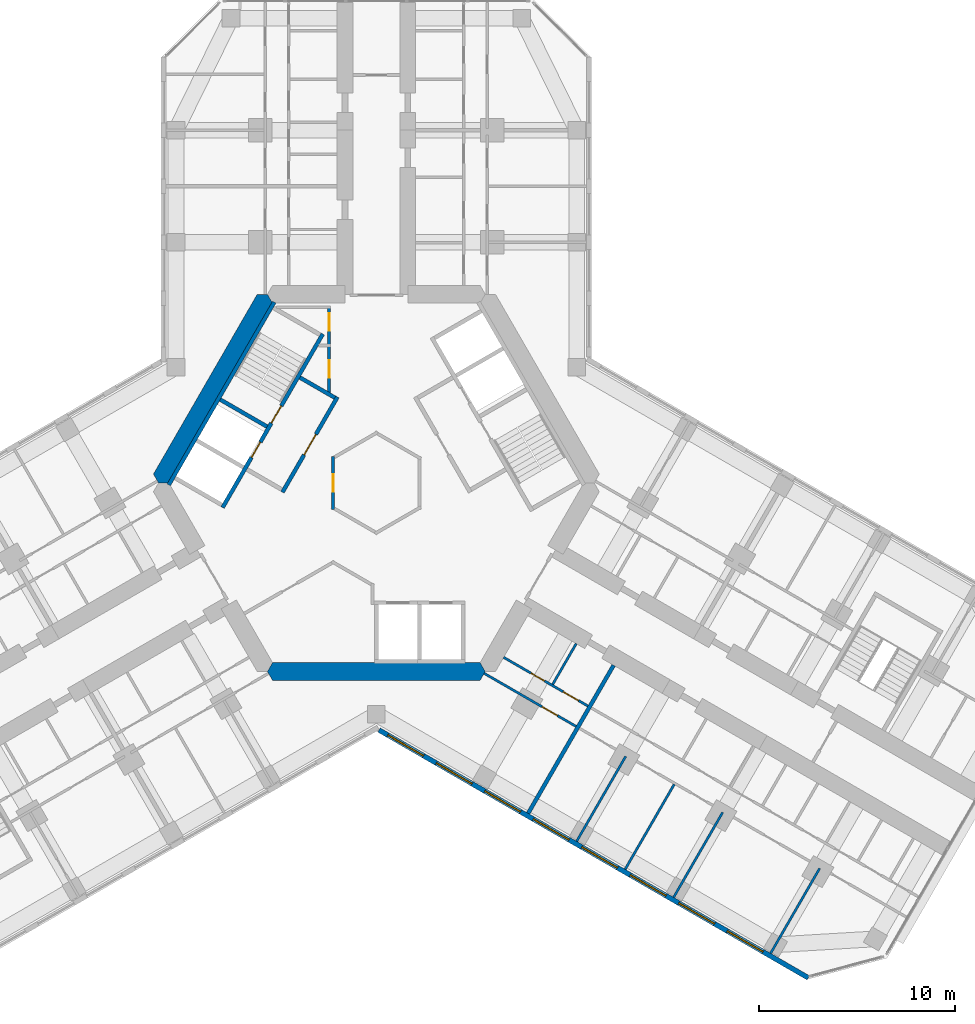
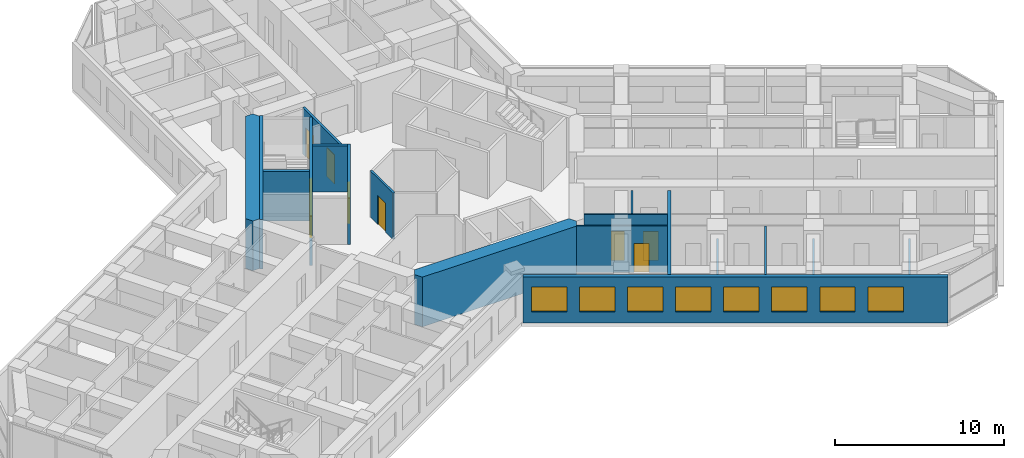
# One storey, part 13 of 19: 18 walls, 9 doors, 8 windows, 17 openings.
"""IFC4 building model written with IfcOpenShell, lengths in metres."""

from ifc_helpers import new_model, si_unit, direction, frame, frame_2d, origin, place, context, subcontext, project, spatial, polyline, rectangle, outline, extrude, material, layer, layer_set, type_object, element, fill, save


model = new_model("IFC4")

# Units and contexts
model_context = context("Model", 3, precision=1e-05, world=origin(), true_north=direction((0.0, 1.0)))
body_context = subcontext(model_context, "Body", "Model", "MODEL_VIEW")
ifc_project = project(units=[si_unit("LENGTHUNIT", "METRE"), si_unit("AREAUNIT", "SQUARE_METRE"), si_unit("VOLUMEUNIT", "CUBIC_METRE"), si_unit("PLANEANGLEUNIT", "RADIAN"), si_unit("MASSUNIT", "GRAM", prefix="KILO")], contexts=[model_context])

# Site, building, storey
site_placement = place(None, origin())
site = spatial("IfcSite", under=ifc_project, at=site_placement, CompositionType="ELEMENT")
building_placement = place(site_placement, origin())
building = spatial("IfcBuilding", under=site, at=building_placement, Name="Kosmar Iwan School Tower", CompositionType="ELEMENT")
storey_placement = place(building_placement, frame((0.0, 0.0, 161.60009765625)))
storey = spatial("IfcBuildingStorey", under=building, at=storey_placement, Name="L40", CompositionType="ELEMENT", Elevation=161.60009765625)

# Wall, openings, doors
ifc_material_1 = material(Name="Gypsum board on steel studs, fire-rated", Category="steel")
ifc_layer_1 = layer(ifc_material_1, 0.14990234375)
ifc_layer_set_1 = layer_set([ifc_layer_1], Name="Core room partition 150")
wall_type_1 = type_object("IfcWallType", Name="Core room partition 150", PredefinedType="PARTITIONING", material=ifc_layer_set_1)
wall_1_placement = place(storey_placement, frame((-2.39990234375, 9.014892578125, 0.0), z_axis=(0.0, 0.0, 1.0), x_axis=(0.0, -1.0, 0.0)))
wall_1 = element("IfcWall", 1, at=wall_1_placement, inside=storey, type_object=wall_type_1, Name="Core room partition L40-CW1", PredefinedType="PARTITIONING", context=body_context, shape_type="SweptSolid", body=[
    extrude(rectangle(XDim=4.484130859375, YDim=0.14990234375, at=frame_2d((2.2421875, 0.0))), origin(), (0.0, 0.0, 1.0), 3.349853515625),
])
opening_1_placement = place(wall_1_placement, frame((0.375, 0.0, 0.0)))
opening_1 = element("IfcOpeningElement", 2, at=opening_1_placement, cuts=wall_1, Name="Opening D14", PredefinedType="OPENING", context=body_context, shape_type="SweptSolid", body=[
    extrude(rectangle(XDim=0.89990234375, YDim=2.10009765625, at=frame_2d((0.449951171875, 1.050048828125))), frame((0.0, 0.0869140625, 0.0), z_axis=(0.0, -1.0, 0.0), x_axis=(1.0, 0.0, 0.0)), (0.0, 0.0, 1.0), 0.173828125),
])
opening_2_placement = place(wall_1_placement, frame((2.77490234375, 0.0, 0.0)))
opening_2 = element("IfcOpeningElement", 3, at=opening_2_placement, cuts=wall_1, Name="Opening D14", PredefinedType="OPENING", context=body_context, shape_type="SweptSolid", body=[
    extrude(rectangle(XDim=0.89990234375, YDim=2.10009765625, at=frame_2d((0.449951171875, 1.050048828125))), frame((0.0, 0.0869140625, 0.0), z_axis=(0.0, -1.0, 0.0), x_axis=(1.0, 0.0, 0.0)), (0.0, 0.0, 1.0), 0.173828125),
])
ifc_material_2 = material(Name="Timber fire door in steel frame", Category="steel")
door_type_1 = type_object("IfcDoorType", Name="Core room door 900x2100", OperationType="SINGLE_SWING_LEFT", PredefinedType="DOOR", material=ifc_material_2)
door_1_placement = place(opening_1_placement, origin())
door_1 = element("IfcDoor", 4, at=door_1_placement, inside=storey, type_object=door_type_1, Name="Electrical riser and switch room door L40 1", OperationType="SINGLE_SWING_LEFT", OverallHeight=2.10009765625, OverallWidth=0.89990234375, PredefinedType="DOOR", context=body_context, shape_type="SweptSolid", body=[
    extrude(rectangle(XDim=0.89990234375, YDim=2.10009765625, at=frame_2d((0.449951171875, 1.050048828125))), frame((0.0, 0.02490234375, 0.0), z_axis=(0.0, -1.0, 0.0), x_axis=(1.0, 0.0, 0.0)), (0.0, 0.0, 1.0), 0.050048828125),
])
fill(opening_1, door_1)
door_2_placement = place(opening_2_placement, origin())
door_2 = element("IfcDoor", 5, at=door_2_placement, inside=storey, type_object=door_type_1, Name="Plumbing and wet riser door L40 2", OperationType="SINGLE_SWING_RIGHT", OverallHeight=2.10009765625, OverallWidth=0.89990234375, PredefinedType="DOOR", context=body_context, shape_type="SweptSolid", body=[
    extrude(rectangle(XDim=0.89990234375, YDim=2.10009765625, at=frame_2d((0.449951171875, 1.050048828125))), frame((0.0, 0.02490234375, 0.0), z_axis=(0.0, -1.0, 0.0), x_axis=(1.0, 0.0, 0.0)), (0.0, 0.0, 1.0), 0.050048828125),
])
fill(opening_2, door_2)

# Wall, opening, door
wall_2_placement = place(storey_placement, frame((-2.199951171875, -1.34521484375, 0.0), z_axis=(0.0, 0.0, 1.0), x_axis=(0.0, 1.0, 0.0)))
wall_2 = element("IfcWall", 6, at=wall_2_placement, inside=storey, type_object=wall_type_1, Name="Core room partition L40-CW10", PredefinedType="PARTITIONING", context=body_context, shape_type="SweptSolid", body=[
    extrude(rectangle(XDim=2.6904296875, YDim=0.14990234375, at=frame_2d((1.34521484375, 0.0))), origin(), (0.0, 0.0, 1.0), 3.349853515625),
])
opening_3_placement = place(wall_2_placement, frame((0.89501953125, 0.0, 0.0)))
opening_3 = element("IfcOpeningElement", 7, at=opening_3_placement, cuts=wall_2, Name="Opening D14", PredefinedType="OPENING", context=body_context, shape_type="SweptSolid", body=[
    extrude(rectangle(XDim=0.89990234375, YDim=2.10009765625, at=frame_2d((0.449951171875, 1.050048828125))), frame((0.0, 0.0869140625, 0.0), z_axis=(0.0, -1.0, 0.0), x_axis=(1.0, 0.0, 0.0)), (0.0, 0.0, 1.0), 0.173828125),
])
door_3_placement = place(opening_3_placement, origin())
door_3 = element("IfcDoor", 8, at=door_3_placement, inside=storey, type_object=door_type_1, Name="Vending room door L40 4", OperationType="SINGLE_SWING_RIGHT", OverallHeight=2.10009765625, OverallWidth=0.89990234375, PredefinedType="DOOR", context=body_context, shape_type="SweptSolid", body=[
    extrude(rectangle(XDim=0.89990234375, YDim=2.10009765625, at=frame_2d((0.449951171875, 1.050048828125))), frame((0.0, 0.02490234375, 0.0), z_axis=(0.0, -1.0, 0.0), x_axis=(1.0, 0.0, 0.0)), (0.0, 0.0, 1.0), 0.050048828125),
])
fill(opening_3, door_3)

# Walls
ifc_material_3 = material(Name="Concrete C50/60", Category="concrete")
ifc_layer_2 = layer(ifc_material_3, 0.89990234375)
ifc_layer_set_2 = layer_set([ifc_layer_2], Name="Core wall 900")
wall_type_2 = type_object("IfcWallType", Name="Core wall 900", PredefinedType="SHEAR", material=ifc_layer_set_2)
wall_3_placement = place(storey_placement, origin())
element("IfcWall", 9, at=wall_3_placement, inside=storey, type_object=wall_type_2, Name="Core wall F150", PredefinedType="SHEAR", context=body_context, shape_type="SweptSolid", body=[
    extrude(outline(polyline([(-11.085205078125, 0.0), (-10.5654296875, 0.0), (-5.28271484375, 9.14990234375), (-5.54248046875, 9.60009765625), (-6.062255859375, 9.60009765625), (-11.344970703125, 0.449951171875), (-11.085205078125, 0.0)])), origin(), (0.0, 0.0, 1.0), 3.599853515625),
])
wall_4_placement = place(storey_placement, origin())
element("IfcWall", 10, at=wall_4_placement, inside=storey, type_object=wall_type_2, Name="Core wall F270", PredefinedType="SHEAR", context=body_context, shape_type="SweptSolid", body=[
    extrude(outline(polyline([(-5.28271484375, -10.050048828125), (5.28271484375, -10.050048828125), (5.54248046875, -9.60009765625), (5.28271484375, -9.14990234375), (-5.28271484375, -9.14990234375), (-5.54248046875, -9.60009765625), (-5.28271484375, -10.050048828125)])), origin(), (0.0, 0.0, 1.0), 3.599853515625),
])

# Wall, openings, doors
ifc_material_4 = material(Name="Gypsum board on steel studs", Category="steel")
ifc_layer_3 = layer(ifc_material_4, 0.1201171875)
ifc_layer_set_3 = layer_set([ifc_layer_3], Name="Dwelling partition 120")
wall_type_3 = type_object("IfcWallType", Name="Dwelling partition 120", PredefinedType="PARTITIONING", material=ifc_layer_set_3)
wall_5_placement = place(storey_placement, frame((6.478515625, -8.87890625, 0.0), z_axis=(0.0, 0.0, 1.0), x_axis=(0.866040211805, -0.499974350878, 0.0)))
wall_5 = element("IfcWall", 11, at=wall_5_placement, inside=storey, type_object=wall_type_3, Name="Partition L40-CR1-W1", PredefinedType="PARTITIONING", context=body_context, shape_type="SweptSolid", body=[
    extrude(rectangle(XDim=4.949951171875, YDim=0.1201171875, at=frame_2d((2.47509765625, 0.0))), origin(), (0.0, 0.0, 1.0), 3.349853515625),
])
opening_4_placement = place(wall_5_placement, frame((1.60009765625, 0.0, 0.0)))
opening_4 = element("IfcOpeningElement", 12, at=opening_4_placement, cuts=wall_5, Name="Opening D3", PredefinedType="OPENING", context=body_context, shape_type="SweptSolid", body=[
    extrude(rectangle(XDim=0.800048828125, YDim=2.10009765625, at=frame_2d((0.39990234375, 1.050048828125))), frame((0.0, 0.072021484375, 0.0), z_axis=(0.0, -1.0, 0.0), x_axis=(1.0, 0.0, 0.0)), (0.0, 0.0, 1.0), 0.14404296875),
])
opening_5_placement = place(wall_5_placement, frame((3.5, 0.0, 0.0)))
opening_5 = element("IfcOpeningElement", 13, at=opening_5_placement, cuts=wall_5, Name="Opening D2", PredefinedType="OPENING", context=body_context, shape_type="SweptSolid", body=[
    extrude(rectangle(XDim=0.89990234375, YDim=2.10009765625, at=frame_2d((0.449951171875, 1.050048828125))), frame((0.0, 0.072021484375, 0.0), z_axis=(0.0, -1.0, 0.0), x_axis=(1.0, 0.0, 0.0)), (0.0, 0.0, 1.0), 0.14404296875),
])
ifc_material_5 = material(Name="Timber door in timber frame", Category="wood")
door_type_2 = type_object("IfcDoorType", Name="Internal door 900x2100", OperationType="SINGLE_SWING_LEFT", PredefinedType="DOOR", material=ifc_material_5)
door_4_placement = place(opening_5_placement, origin())
door_4 = element("IfcDoor", 14, at=door_4_placement, inside=storey, type_object=door_type_2, Name="Entrance hall door L40-CR1-S2", OperationType="SINGLE_SWING_RIGHT", OverallHeight=2.10009765625, OverallWidth=0.89990234375, PredefinedType="DOOR", context=body_context, shape_type="SweptSolid", body=[
    extrude(rectangle(XDim=0.89990234375, YDim=2.10009765625, at=frame_2d((0.449951171875, 1.050048828125))), frame((0.0, 0.02490234375, 0.0), z_axis=(0.0, -1.0, 0.0), x_axis=(1.0, 0.0, 0.0)), (0.0, 0.0, 1.0), 0.050048828125),
])
fill(opening_5, door_4)
ifc_material_6 = material(Name="Timber door in timber frame", Category="wood")
door_type_3 = type_object("IfcDoorType", Name="Sanitary room door 800x2100", OperationType="SINGLE_SWING_LEFT", PredefinedType="DOOR", material=ifc_material_6)
door_5_placement = place(opening_4_placement, origin())
door_5 = element("IfcDoor", 15, at=door_5_placement, inside=storey, type_object=door_type_3, Name="Bathroom door L40-CR1-S1", OperationType="SINGLE_SWING_RIGHT", OverallHeight=2.10009765625, OverallWidth=0.800048828125, PredefinedType="DOOR", context=body_context, shape_type="SweptSolid", body=[
    extrude(rectangle(XDim=0.800048828125, YDim=2.10009765625, at=frame_2d((0.39990234375, 1.050048828125))), frame((0.0, 0.02490234375, 0.0), z_axis=(0.0, -1.0, 0.0), x_axis=(1.0, 0.0, 0.0)), (0.0, 0.0, 1.0), 0.050048828125),
])
fill(opening_4, door_5)

# Wall, opening, door
wall_6_placement = place(storey_placement, frame((5.48876953125, -9.693115234375, 0.0), z_axis=(0.0, 0.0, 1.0), x_axis=(0.866028230842, -0.499995103361, 0.0)))
wall_6 = element("IfcWall", 16, at=wall_6_placement, inside=storey, type_object=wall_type_3, Name="Partition L40-CR1-W2", PredefinedType="PARTITIONING", context=body_context, shape_type="SweptSolid", body=[
    extrude(rectangle(XDim=5.39990234375, YDim=0.1201171875, at=frame_2d((2.699951171875, 0.0))), origin(), (0.0, 0.0, 1.0), 3.349853515625),
])
opening_6_placement = place(wall_6_placement, frame((3.39990234375, 0.0, 0.0)))
opening_6 = element("IfcOpeningElement", 17, at=opening_6_placement, cuts=wall_6, Name="Opening D2", PredefinedType="OPENING", context=body_context, shape_type="SweptSolid", body=[
    extrude(rectangle(XDim=0.89990234375, YDim=2.10009765625, at=frame_2d((0.449951171875, 1.050048828125))), frame((0.0, 0.072021484375, 0.0), z_axis=(0.0, -1.0, 0.0), x_axis=(1.0, 0.0, 0.0)), (0.0, 0.0, 1.0), 0.14404296875),
])
door_6_placement = place(opening_6_placement, origin())
door_6 = element("IfcDoor", 18, at=door_6_placement, inside=storey, type_object=door_type_2, Name="Studio living room and kitchen door L40-CR1-F1", OperationType="SINGLE_SWING_RIGHT", OverallHeight=2.10009765625, OverallWidth=0.89990234375, PredefinedType="DOOR", context=body_context, shape_type="SweptSolid", body=[
    extrude(rectangle(XDim=0.89990234375, YDim=2.10009765625, at=frame_2d((0.449951171875, 1.050048828125))), frame((0.0, 0.02490234375, 0.0), z_axis=(0.0, -1.0, 0.0), x_axis=(1.0, 0.0, 0.0)), (0.0, 0.0, 1.0), 0.050048828125),
])
fill(opening_6, door_6)

# Walls
wall_7_placement = place(storey_placement, frame((10.171630859375, -8.18212890625, 0.0), z_axis=(0.0, 0.0, 1.0), x_axis=(-0.499940577336, -0.866059708757, 0.0)))
element("IfcWall", 19, at=wall_7_placement, inside=storey, type_object=wall_type_3, Name="Partition L40-CR1-Y1", PredefinedType="PARTITIONING", context=body_context, shape_type="SweptSolid", body=[
    extrude(rectangle(XDim=2.389892578125, YDim=0.1201171875, at=frame_2d((1.19482421875, 0.0))), origin(), (0.0, 0.0, 1.0), 3.349853515625),
])
wall_8_placement = place(storey_placement, frame((12.690185546875, -13.919921875, 0.0), z_axis=(0.0, 0.0, 1.0), x_axis=(-0.500011847778, -0.866018563358, 0.0)))
element("IfcWall", 20, at=wall_8_placement, inside=storey, type_object=wall_type_3, Name="Partition L40-CR2-X1", PredefinedType="PARTITIONING", context=body_context, shape_type="SweptSolid", body=[
    extrude(rectangle(XDim=4.990234375, YDim=0.1201171875, at=frame_2d((2.4951171875, 0.0))), origin(), (0.0, 0.0, 1.0), 2.449951171875),
])
wall_9_placement = place(storey_placement, frame((15.158447265625, -15.344970703125, 0.0), z_axis=(0.0, 0.0, 1.0), x_axis=(-0.500011847778, -0.866018563358, 0.0)))
element("IfcWall", 21, at=wall_9_placement, inside=storey, type_object=wall_type_3, Name="Partition L40-CR2-X2", PredefinedType="PARTITIONING", context=body_context, shape_type="SweptSolid", body=[
    extrude(rectangle(XDim=4.990234375, YDim=0.1201171875, at=frame_2d((2.4951171875, 0.0))), origin(), (0.0, 0.0, 1.0), 3.349853515625),
])
wall_10_placement = place(storey_placement, frame((17.62646484375, -16.77001953125, 0.0), z_axis=(0.0, 0.0, 1.0), x_axis=(-0.499975153383, -0.86603974851, 0.0)))
element("IfcWall", 22, at=wall_10_placement, inside=storey, type_object=wall_type_3, Name="Partition L40-CR2-X3", PredefinedType="PARTITIONING", context=body_context, shape_type="SweptSolid", body=[
    extrude(rectangle(XDim=4.989990234375, YDim=0.1201171875, at=frame_2d((2.4951171875, 0.0))), origin(), (0.0, 0.0, 1.0), 2.449951171875),
])
wall_11_placement = place(storey_placement, frame((22.562744140625, -19.6201171875, 0.0), z_axis=(0.0, 0.0, 1.0), x_axis=(-0.499996339024, -0.86602751744, 0.0)))
element("IfcWall", 23, at=wall_11_placement, inside=storey, type_object=wall_type_3, Name="Partition L40-CR2-X4", PredefinedType="PARTITIONING", context=body_context, shape_type="SweptSolid", body=[
    extrude(rectangle(XDim=4.98974609375, YDim=0.1201171875, at=frame_2d((2.494873046875, 0.0))), origin(), (0.0, 0.0, 1.0), 2.449951171875),
])

# Wall, openings, windows
ifc_material_7 = material(Name="Black aluminium rainscreen on insulated framing", Category="aluminium")
ifc_layer_4 = layer(ifc_material_7, 0.25)
ifc_layer_set_4 = layer_set([ifc_layer_4], Name="External wall rainscreen 250")
wall_type_4 = type_object("IfcWallType", Name="External wall rainscreen 250", PredefinedType="SOLIDWALL", material=ifc_layer_set_4)
wall_12_placement = place(storey_placement, frame((0.137939453125, -12.5791015625, 0.0), z_axis=(0.0, 0.0, 1.0), x_axis=(0.866023775649, -0.500002820003, 0.0)))
wall_12 = element("IfcWall", 24, at=wall_12_placement, inside=storey, type_object=wall_type_4, Name="External wall CR L40", PredefinedType="SOLIDWALL", context=body_context, shape_type="SweptSolid", body=[
    extrude(rectangle(XDim=25.226318359375, YDim=0.25, at=frame_2d((12.61328125, 0.0))), origin(), (0.0, 0.0, 1.0), 3.349853515625),
])
opening_7_placement = place(wall_12_placement, frame((0.51611328125, 0.0, 0.800048828125)))
opening_7 = element("IfcOpeningElement", 25, at=opening_7_placement, cuts=wall_12, Name="Opening W4", PredefinedType="OPENING", context=body_context, shape_type="SweptSolid", body=[
    extrude(rectangle(XDim=2.10009765625, YDim=1.800048828125, at=frame_2d((1.050048828125, 0.89990234375))), frame((0.0, 0.136962890625, 0.0), z_axis=(0.0, -1.0, 0.0), x_axis=(1.0, 0.0, 0.0)), (0.0, 0.0, 1.0), 0.27392578125),
])
opening_8_placement = place(wall_12_placement, frame((3.365966796875, 0.0, 0.800048828125)))
opening_8 = element("IfcOpeningElement", 26, at=opening_8_placement, cuts=wall_12, Name="Opening W4", PredefinedType="OPENING", context=body_context, shape_type="SweptSolid", body=[
    extrude(rectangle(XDim=2.10009765625, YDim=1.800048828125, at=frame_2d((1.050048828125, 0.89990234375))), frame((0.0, 0.136962890625, 0.0), z_axis=(0.0, -1.0, 0.0), x_axis=(1.0, 0.0, 0.0)), (0.0, 0.0, 1.0), 0.27392578125),
])
opening_9_placement = place(wall_12_placement, frame((6.216064453125, 0.0, 0.800048828125)))
opening_9 = element("IfcOpeningElement", 27, at=opening_9_placement, cuts=wall_12, Name="Opening W4", PredefinedType="OPENING", context=body_context, shape_type="SweptSolid", body=[
    extrude(rectangle(XDim=2.10009765625, YDim=1.800048828125, at=frame_2d((1.050048828125, 0.89990234375))), frame((0.0, 0.136962890625, 0.0), z_axis=(0.0, -1.0, 0.0), x_axis=(1.0, 0.0, 0.0)), (0.0, 0.0, 1.0), 0.27392578125),
])
opening_10_placement = place(wall_12_placement, frame((9.06591796875, 0.0, 0.800048828125)))
opening_10 = element("IfcOpeningElement", 28, at=opening_10_placement, cuts=wall_12, Name="Opening W4", PredefinedType="OPENING", context=body_context, shape_type="SweptSolid", body=[
    extrude(rectangle(XDim=2.10009765625, YDim=1.800048828125, at=frame_2d((1.050048828125, 0.89990234375))), frame((0.0, 0.136962890625, 0.0), z_axis=(0.0, -1.0, 0.0), x_axis=(1.0, 0.0, 0.0)), (0.0, 0.0, 1.0), 0.27392578125),
])
opening_11_placement = place(wall_12_placement, frame((11.916015625, 0.0, 0.800048828125)))
opening_11 = element("IfcOpeningElement", 29, at=opening_11_placement, cuts=wall_12, Name="Opening W4", PredefinedType="OPENING", context=body_context, shape_type="SweptSolid", body=[
    extrude(rectangle(XDim=2.10009765625, YDim=1.800048828125, at=frame_2d((1.050048828125, 0.89990234375))), frame((0.0, 0.136962890625, 0.0), z_axis=(0.0, -1.0, 0.0), x_axis=(1.0, 0.0, 0.0)), (0.0, 0.0, 1.0), 0.27392578125),
])
opening_12_placement = place(wall_12_placement, frame((14.76611328125, 0.0, 0.800048828125)))
opening_12 = element("IfcOpeningElement", 30, at=opening_12_placement, cuts=wall_12, Name="Opening W4", PredefinedType="OPENING", context=body_context, shape_type="SweptSolid", body=[
    extrude(rectangle(XDim=2.10009765625, YDim=1.800048828125, at=frame_2d((1.050048828125, 0.89990234375))), frame((0.0, 0.136962890625, 0.0), z_axis=(0.0, -1.0, 0.0), x_axis=(1.0, 0.0, 0.0)), (0.0, 0.0, 1.0), 0.27392578125),
])
opening_13_placement = place(wall_12_placement, frame((17.615966796875, 0.0, 0.800048828125)))
opening_13 = element("IfcOpeningElement", 31, at=opening_13_placement, cuts=wall_12, Name="Opening W4", PredefinedType="OPENING", context=body_context, shape_type="SweptSolid", body=[
    extrude(rectangle(XDim=2.10009765625, YDim=1.800048828125, at=frame_2d((1.050048828125, 0.89990234375))), frame((0.0, 0.136962890625, 0.0), z_axis=(0.0, -1.0, 0.0), x_axis=(1.0, 0.0, 0.0)), (0.0, 0.0, 1.0), 0.27392578125),
])
opening_14_placement = place(wall_12_placement, frame((20.466064453125, 0.0, 0.800048828125)))
opening_14 = element("IfcOpeningElement", 32, at=opening_14_placement, cuts=wall_12, Name="Opening W4", PredefinedType="OPENING", context=body_context, shape_type="SweptSolid", body=[
    extrude(rectangle(XDim=2.10009765625, YDim=1.800048828125, at=frame_2d((1.050048828125, 0.89990234375))), frame((0.0, 0.136962890625, 0.0), z_axis=(0.0, -1.0, 0.0), x_axis=(1.0, 0.0, 0.0)), (0.0, 0.0, 1.0), 0.27392578125),
])
ifc_material_8 = material(Name="Black aluminium frame with dark triple glazing", Category="aluminium")
window_type = type_object("IfcWindowType", Name="Window 2100x1800", PartitioningType="SINGLE_PANEL", PredefinedType="WINDOW", material=ifc_material_8)
window_1_placement = place(opening_7_placement, origin())
window_1 = element("IfcWindow", 33, at=window_1_placement, inside=storey, type_object=window_type, Name="Window CR L40 -1", OverallHeight=1.800048828125, OverallWidth=2.10009765625, PartitioningType="SINGLE_PANEL", PredefinedType="WINDOW", context=body_context, shape_type="SweptSolid", body=[
    extrude(rectangle(XDim=2.10009765625, YDim=1.800048828125, at=frame_2d((1.050048828125, 0.89990234375))), frame((0.0, 0.030029296875, 0.0), z_axis=(0.0, -1.0, 0.0), x_axis=(1.0, 0.0, 0.0)), (0.0, 0.0, 1.0), 0.06005859375),
])
fill(opening_7, window_1)
window_2_placement = place(opening_8_placement, origin())
window_2 = element("IfcWindow", 34, at=window_2_placement, inside=storey, type_object=window_type, Name="Window CR L40 0", OverallHeight=1.800048828125, OverallWidth=2.10009765625, PartitioningType="SINGLE_PANEL", PredefinedType="WINDOW", context=body_context, shape_type="SweptSolid", body=[
    extrude(rectangle(XDim=2.10009765625, YDim=1.800048828125, at=frame_2d((1.050048828125, 0.89990234375))), frame((0.0, 0.030029296875, 0.0), z_axis=(0.0, -1.0, 0.0), x_axis=(1.0, 0.0, 0.0)), (0.0, 0.0, 1.0), 0.06005859375),
])
fill(opening_8, window_2)
window_3_placement = place(opening_9_placement, origin())
window_3 = element("IfcWindow", 35, at=window_3_placement, inside=storey, type_object=window_type, Name="Window CR L40 1", OverallHeight=1.800048828125, OverallWidth=2.10009765625, PartitioningType="SINGLE_PANEL", PredefinedType="WINDOW", context=body_context, shape_type="SweptSolid", body=[
    extrude(rectangle(XDim=2.10009765625, YDim=1.800048828125, at=frame_2d((1.050048828125, 0.89990234375))), frame((0.0, 0.030029296875, 0.0), z_axis=(0.0, -1.0, 0.0), x_axis=(1.0, 0.0, 0.0)), (0.0, 0.0, 1.0), 0.06005859375),
])
fill(opening_9, window_3)
window_4_placement = place(opening_10_placement, origin())
window_4 = element("IfcWindow", 36, at=window_4_placement, inside=storey, type_object=window_type, Name="Window CR L40 2", OverallHeight=1.800048828125, OverallWidth=2.10009765625, PartitioningType="SINGLE_PANEL", PredefinedType="WINDOW", context=body_context, shape_type="SweptSolid", body=[
    extrude(rectangle(XDim=2.10009765625, YDim=1.800048828125, at=frame_2d((1.050048828125, 0.89990234375))), frame((0.0, 0.030029296875, 0.0), z_axis=(0.0, -1.0, 0.0), x_axis=(1.0, 0.0, 0.0)), (0.0, 0.0, 1.0), 0.06005859375),
])
fill(opening_10, window_4)
window_5_placement = place(opening_11_placement, origin())
window_5 = element("IfcWindow", 37, at=window_5_placement, inside=storey, type_object=window_type, Name="Window CR L40 3", OverallHeight=1.800048828125, OverallWidth=2.10009765625, PartitioningType="SINGLE_PANEL", PredefinedType="WINDOW", context=body_context, shape_type="SweptSolid", body=[
    extrude(rectangle(XDim=2.10009765625, YDim=1.800048828125, at=frame_2d((1.050048828125, 0.89990234375))), frame((0.0, 0.030029296875, 0.0), z_axis=(0.0, -1.0, 0.0), x_axis=(1.0, 0.0, 0.0)), (0.0, 0.0, 1.0), 0.06005859375),
])
fill(opening_11, window_5)
window_6_placement = place(opening_12_placement, origin())
window_6 = element("IfcWindow", 38, at=window_6_placement, inside=storey, type_object=window_type, Name="Window CR L40 4", OverallHeight=1.800048828125, OverallWidth=2.10009765625, PartitioningType="SINGLE_PANEL", PredefinedType="WINDOW", context=body_context, shape_type="SweptSolid", body=[
    extrude(rectangle(XDim=2.10009765625, YDim=1.800048828125, at=frame_2d((1.050048828125, 0.89990234375))), frame((0.0, 0.030029296875, 0.0), z_axis=(0.0, -1.0, 0.0), x_axis=(1.0, 0.0, 0.0)), (0.0, 0.0, 1.0), 0.06005859375),
])
fill(opening_12, window_6)
window_7_placement = place(opening_13_placement, origin())
window_7 = element("IfcWindow", 39, at=window_7_placement, inside=storey, type_object=window_type, Name="Window CR L40 5", OverallHeight=1.800048828125, OverallWidth=2.10009765625, PartitioningType="SINGLE_PANEL", PredefinedType="WINDOW", context=body_context, shape_type="SweptSolid", body=[
    extrude(rectangle(XDim=2.10009765625, YDim=1.800048828125, at=frame_2d((1.050048828125, 0.89990234375))), frame((0.0, 0.030029296875, 0.0), z_axis=(0.0, -1.0, 0.0), x_axis=(1.0, 0.0, 0.0)), (0.0, 0.0, 1.0), 0.06005859375),
])
fill(opening_13, window_7)
window_8_placement = place(opening_14_placement, origin())
window_8 = element("IfcWindow", 40, at=window_8_placement, inside=storey, type_object=window_type, Name="Window CR L40 6", OverallHeight=1.800048828125, OverallWidth=2.10009765625, PartitioningType="SINGLE_PANEL", PredefinedType="WINDOW", context=body_context, shape_type="SweptSolid", body=[
    extrude(rectangle(XDim=2.10009765625, YDim=1.800048828125, at=frame_2d((1.050048828125, 0.89990234375))), frame((0.0, 0.030029296875, 0.0), z_axis=(0.0, -1.0, 0.0), x_axis=(1.0, 0.0, 0.0)), (0.0, 0.0, 1.0), 0.06005859375),
])
fill(opening_14, window_8)

# Wall, opening, door
ifc_material_9 = material(Name="Concrete block masonry", Category="masonry")
ifc_layer_5 = layer(ifc_material_9, 0.199951171875)
ifc_layer_set_5 = layer_set([ifc_layer_5], Name="Fire lobby wall 200")
wall_type_5 = type_object("IfcWallType", Name="Fire lobby wall 200", PredefinedType="PARTITIONING", material=ifc_layer_set_5)
wall_13_placement = place(storey_placement, frame((-1.9775390625, 4.374755859375, 0.0), z_axis=(0.0, 0.0, 1.0), x_axis=(-0.500016814911, -0.866015695474, 0.0)))
wall_13 = element("IfcWall", 41, at=wall_13_placement, inside=storey, type_object=wall_type_5, Name="Firefighting lobby wall ST2", PredefinedType="PARTITIONING", context=body_context, shape_type="SweptSolid", body=[
    extrude(rectangle(XDim=5.599853515625, YDim=0.199951171875, at=frame_2d((2.7998046875, 0.0))), origin(), (0.0, 0.0, 1.0), 3.349853515625),
])
opening_15_placement = place(wall_13_placement, frame((2.199951171875, 0.0, 0.0)))
opening_15 = element("IfcOpeningElement", 42, at=opening_15_placement, cuts=wall_13, Name="Opening D7", PredefinedType="OPENING", context=body_context, shape_type="SweptSolid", body=[
    extrude(rectangle(XDim=1.199951171875, YDim=2.10009765625, at=frame_2d((0.60009765625, 1.050048828125))), frame((0.0, 0.112060546875, 0.0), z_axis=(0.0, -1.0, 0.0), x_axis=(1.0, 0.0, 0.0)), (0.0, 0.0, 1.0), 0.223876953125),
])
ifc_material_10 = material(Name="Steel fire door", Category="steel")
door_type_4 = type_object("IfcDoorType", Name="Fire lobby door 1200x2100", OperationType="SINGLE_SWING_LEFT", PredefinedType="DOOR", material=ifc_material_10)
door_7_placement = place(opening_15_placement, origin())
door_7 = element("IfcDoor", 43, at=door_7_placement, inside=storey, type_object=door_type_4, Name="Firefighting lobby door ST2 L40", OperationType="SINGLE_SWING_LEFT", OverallHeight=2.10009765625, OverallWidth=1.199951171875, PredefinedType="DOOR", context=body_context, shape_type="SweptSolid", body=[
    extrude(rectangle(XDim=1.199951171875, YDim=2.10009765625, at=frame_2d((0.60009765625, 1.050048828125))), frame((0.0, 0.02490234375, 0.0), z_axis=(0.0, -1.0, 0.0), x_axis=(1.0, 0.0, 0.0)), (0.0, 0.0, 1.0), 0.050048828125),
])
fill(opening_15, door_7)

# Wall
wall_14_placement = place(storey_placement, frame((-2.114013671875, 4.33837890625, 0.0), z_axis=(0.0, 0.0, 1.0), x_axis=(-0.866050731258, 0.499956128963, 0.0)))
element("IfcWall", 44, at=wall_14_placement, inside=storey, type_object=wall_type_5, Name="Firefighting lobby wall ST2", PredefinedType="PARTITIONING", context=body_context, shape_type="SweptSolid", body=[
    extrude(rectangle(XDim=2.050048828125, YDim=0.199951171875, at=frame_2d((1.02490234375, 0.0))), origin(), (0.0, 0.0, 1.0), 3.349853515625),
])

# Wall, openings, doors
ifc_material_11 = material(Name="Concrete C50/60", Category="concrete")
ifc_layer_6 = layer(ifc_material_11, 0.199951171875)
ifc_layer_set_6 = layer_set([ifc_layer_6], Name="Lift shaft wall 200")
wall_type_6 = type_object("IfcWallType", Name="Lift shaft wall 200", PredefinedType="SHEAR", material=ifc_layer_set_6)
wall_15_placement = place(storey_placement, frame((-2.72607421875, 7.578369140625, 0.0), z_axis=(0.0, 0.0, 1.0), x_axis=(-0.500005610874, -0.86602216432, 0.0)))
wall_15 = element("IfcWall", 45, at=wall_15_placement, inside=storey, type_object=wall_type_6, Name="Lift and stair front wall AB", PredefinedType="SHEAR", context=body_context, shape_type="SweptSolid", body=[
    extrude(rectangle(XDim=10.2001953125, YDim=0.199951171875, at=frame_2d((5.10009765625, 0.0))), origin(), (0.0, 0.0, 1.0), 3.599853515625),
])
opening_16_placement = place(wall_15_placement, frame((6.35009765625, 0.0, 0.0)))
opening_16 = element("IfcOpeningElement", 46, at=opening_16_placement, cuts=wall_15, Name="Opening LD2", PredefinedType="OPENING", context=body_context, shape_type="SweptSolid", body=[
    extrude(rectangle(XDim=0.89990234375, YDim=2.10009765625, at=frame_2d((0.449951171875, 1.050048828125))), frame((0.0, 0.112060546875, 0.0), z_axis=(0.0, -1.0, 0.0), x_axis=(1.0, 0.0, 0.0)), (0.0, 0.0, 1.0), 0.223876953125),
])
opening_17_placement = place(wall_15_placement, frame((4.22998046875, 0.0, 0.0)))
opening_17 = element("IfcOpeningElement", 47, at=opening_17_placement, cuts=wall_15, Name="Opening D6", PredefinedType="OPENING", context=body_context, shape_type="SweptSolid", body=[
    extrude(rectangle(XDim=1.0, YDim=2.10009765625, at=frame_2d((0.5, 1.050048828125))), frame((0.0, 0.112060546875, 0.0), z_axis=(0.0, -1.0, 0.0), x_axis=(1.0, 0.0, 0.0)), (0.0, 0.0, 1.0), 0.223876953125),
])
ifc_material_12 = material(Name="Stainless steel sliding lift door", Category="steel")
door_type_5 = type_object("IfcDoorType", Name="Firefighting lift landing door 900x2100", OperationType="SLIDING_TO_LEFT", PredefinedType="DOOR", material=ifc_material_12)
door_8_placement = place(opening_16_placement, origin())
door_8 = element("IfcDoor", 48, at=door_8_placement, inside=storey, type_object=door_type_5, Name="Lift FF2 landing door L40", OperationType="SLIDING_TO_LEFT", OverallHeight=2.10009765625, OverallWidth=0.89990234375, PredefinedType="DOOR", context=body_context, shape_type="SweptSolid", body=[
    extrude(rectangle(XDim=0.89990234375, YDim=2.10009765625, at=frame_2d((0.449951171875, 1.050048828125))), frame((0.0, 0.02490234375, 0.0), z_axis=(0.0, -1.0, 0.0), x_axis=(1.0, 0.0, 0.0)), (0.0, 0.0, 1.0), 0.050048828125),
])
fill(opening_16, door_8)
ifc_material_13 = material(Name="Steel fire door", Category="steel")
door_type_6 = type_object("IfcDoorType", Name="Stair door 1000x2100", OperationType="SINGLE_SWING_LEFT", PredefinedType="DOOR", material=ifc_material_13)
door_9_placement = place(opening_17_placement, origin())
door_9 = element("IfcDoor", 49, at=door_9_placement, inside=storey, type_object=door_type_6, Name="Stair ST2 door L40", OperationType="SINGLE_SWING_LEFT", OverallHeight=2.10009765625, OverallWidth=1.0, PredefinedType="DOOR", context=body_context, shape_type="SweptSolid", body=[
    extrude(rectangle(XDim=1.0, YDim=2.10009765625, at=frame_2d((0.5, 1.050048828125))), frame((0.0, 0.02490234375, 0.0), z_axis=(0.0, -1.0, 0.0), x_axis=(1.0, 0.0, 0.0)), (0.0, 0.0, 1.0), 0.050048828125),
])
fill(opening_17, door_9)

# Walls
wall_16_placement = place(storey_placement, frame((-5.196044921875, 9.199951171875, 0.0), z_axis=(0.0, 0.0, 1.0), x_axis=(-0.499999935134, -0.866025441235, 0.0)))
element("IfcWall", 50, at=wall_16_placement, inside=storey, type_object=wall_type_6, Name="Lift and stair back wall AB", PredefinedType="SHEAR", context=body_context, shape_type="SweptSolid", body=[
    extrude(rectangle(XDim=10.73876953125, YDim=0.199951171875, at=frame_2d((5.369384765625, 0.0))), origin(), (0.0, 0.0, 1.0), 3.599853515625),
])
ifc_material_14 = material(Name="Concrete block masonry", Category="masonry")
ifc_layer_7 = layer(ifc_material_14, 0.199951171875)
ifc_layer_set_7 = layer_set([ifc_layer_7], Name="Party wall 200")
wall_type_7 = type_object("IfcWallType", Name="Party wall 200", PredefinedType="PARTITIONING", material=ifc_layer_set_7)
wall_17_placement = place(storey_placement, frame((12.076904296875, -9.281982421875, 0.0), z_axis=(0.0, 0.0, 1.0), x_axis=(-0.499987231761, -0.866032775405, 0.0)))
element("IfcWall", 51, at=wall_17_placement, inside=storey, type_object=wall_type_7, Name="Partition L40-CR2-PW", PredefinedType="PARTITIONING", context=body_context, shape_type="SweptSolid", body=[
    extrude(rectangle(XDim=8.699951171875, YDim=0.199951171875, at=frame_2d((4.35009765625, 0.0))), origin(), (0.0, 0.0, 1.0), 3.349853515625),
])
ifc_material_15 = material(Name="Concrete C50/60", Category="concrete")
ifc_layer_8 = layer(ifc_material_15, 0.199951171875)
ifc_layer_set_8 = layer_set([ifc_layer_8], Name="Stair enclosure wall 200")
wall_type_8 = type_object("IfcWallType", Name="Stair enclosure wall 200", PredefinedType="SHEAR", material=ifc_layer_set_8)
wall_18_placement = place(storey_placement, frame((-5.562744140625, 2.865234375, 0.0), z_axis=(0.0, 0.0, 1.0), x_axis=(-0.866027397988, 0.499996545922, 0.0)))
element("IfcWall", 52, at=wall_18_placement, inside=storey, type_object=wall_type_8, Name="Stair ST2 wall", PredefinedType="SHEAR", context=body_context, shape_type="SweptSolid", body=[
    extrude(rectangle(XDim=2.75, YDim=0.199951171875, at=frame_2d((1.375, 0.0))), origin(), (0.0, 0.0, 1.0), 3.599853515625),
])

save(model, "model.ifc")
